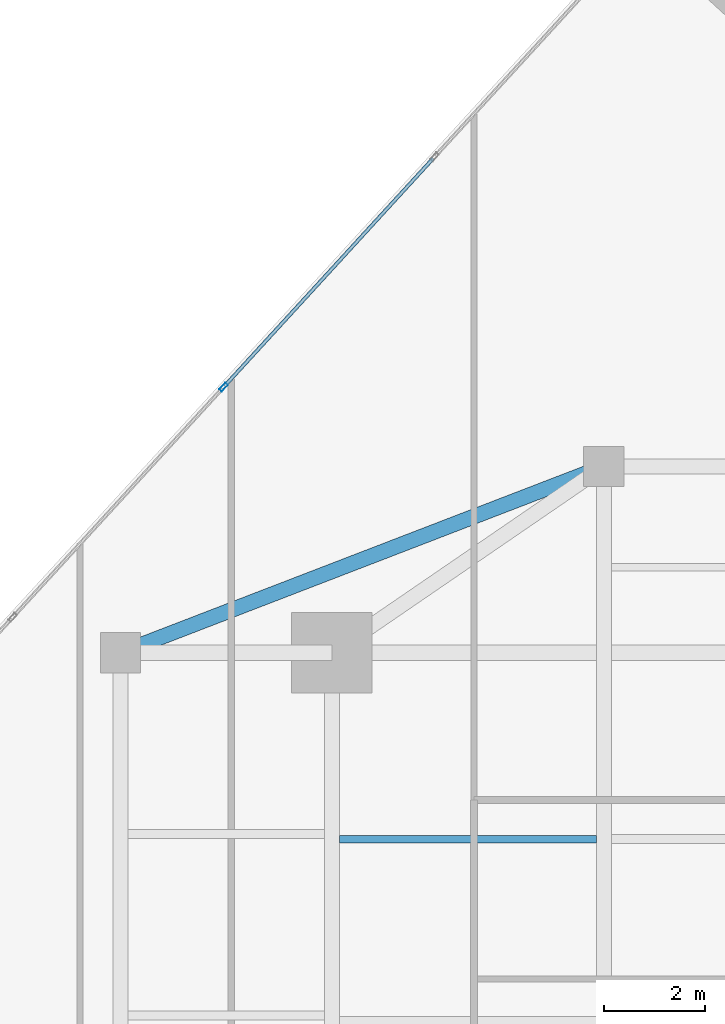
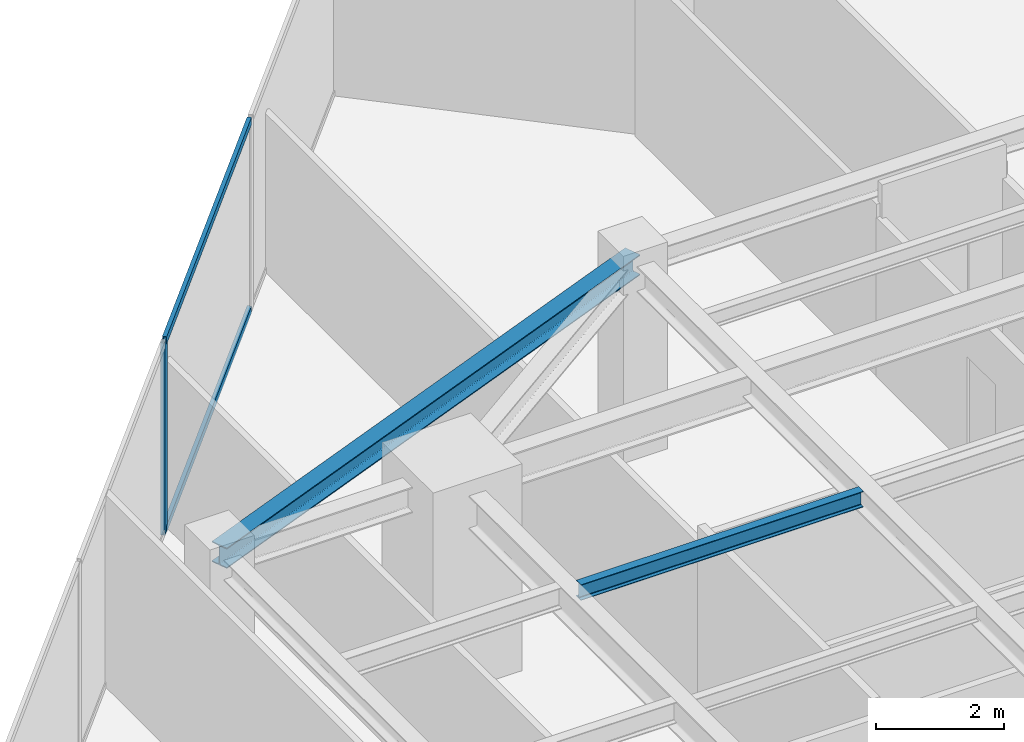
# One storey, part 15 of 26: 3 members, 2 beams, 1 element without a shape of its own.
"""IFC4 building model written with IfcOpenShell, lengths in metres."""

from ifc_helpers import new_model, si_unit, direction, frame, origin, origin_2d, place, context, subcontext, project, spatial, hollow_rectangle, i_section, extrude, source, transform, mapped, material, material_profile, profile_set, type_object, type_shapes, element, aggregate, save


model = new_model("IFC4")

# Units and contexts
model_context = context("Model", 3, precision=1e-05, world=origin(), true_north=direction((0.0, 1.0)))
body_context = subcontext(model_context, "Body", "Model", "MODEL_VIEW")
ifc_project = project(units=[si_unit("LENGTHUNIT", "METRE"), si_unit("AREAUNIT", "SQUARE_METRE"), si_unit("VOLUMEUNIT", "CUBIC_METRE"), si_unit("PLANEANGLEUNIT", "RADIAN"), si_unit("MASSUNIT", "GRAM", prefix="KILO")], contexts=[model_context])

# Site, building, storey
site_placement = place(None, origin())
site = spatial("IfcSite", under=ifc_project, at=site_placement, CompositionType="ELEMENT")
building_placement = place(site_placement, origin())
building = spatial("IfcBuilding", under=site, at=building_placement, Name="Krantzveldt Concourse Tower", CompositionType="ELEMENT")
storey_placement = place(building_placement, frame((0.0, 0.0, 223.10009765625)))
storey = spatial("IfcBuildingStorey", under=building, at=storey_placement, Name="L54", CompositionType="ELEMENT", Elevation=223.10009765625)

# Beams
ifc_material_1 = material(Name="Steel S355JR", Category="steel")
ifc_material_profile_1 = material_profile(ifc_material_1, i_section(OverallWidth=0.300048828125, OverallDepth=0.389892578125, WebThickness=0.010986328125, FlangeThickness=0.01904296875, FilletRadius=0.027099609375, at=origin_2d()), Name="Steel S355JR", Category="steel")
ifc_profile_set_1 = profile_set([ifc_material_profile_1], Name="Steel S355JR - HEA 400")
beam_type_1 = type_object("IfcBeamType", Name="BM-SP-HEA400", PredefinedType="SPANDREL", material=ifc_profile_set_1)
shared_shape_1 = source(origin(), body_context, "Body", "SweptSolid", [
    extrude(i_section(OverallWidth=0.300048828125, OverallDepth=0.389892578125, WebThickness=0.010986328125, FlangeThickness=0.01904296875, FilletRadius=0.027099609375, at=origin_2d()), origin(), (0.0, 0.0, 1.0), 10.288330078125),
])
type_shapes(beam_type_1, [shared_shape_1])
beam_1_placement = place(storey_placement, frame((21.0, 37.5, 3.474853515625), z_axis=(0.933097690408, 0.359622997257, 0.0), x_axis=(-0.359622997257, 0.933097690408, 0.0)))
element("IfcBeam", 1, at=beam_1_placement, inside=storey, type_object=beam_type_1, Name="L54 Tower Girder SP-R03", PredefinedType="SPANDREL", context=body_context, shape_type="MappedRepresentation", body=[
    mapped(shared_shape_1, transform((0.0, 0.0, 0.0), x_axis=(1.0, 0.0, 0.0), y_axis=(0.0, 1.0, 0.0), z_axis=(0.0, 0.0, 1.0), scale=1.0)),
])
ifc_material_profile_2 = material_profile(ifc_material_1, i_section(OverallWidth=0.14990234375, OverallDepth=0.300048828125, WebThickness=0.007080078125, FlangeThickness=0.0107421875, FilletRadius=0.014892578125, at=origin_2d()), Name="Steel S355JR", Category="steel")
ifc_profile_set_2 = profile_set([ifc_material_profile_2], Name="Steel S355JR - IPE 300")
beam_type_2 = type_object("IfcBeamType", Name="BM-J-IPE300", PredefinedType="JOIST", material=ifc_profile_set_2)
shared_shape_2 = source(origin(), body_context, "Body", "SweptSolid", [
    extrude(i_section(OverallWidth=0.14990234375, OverallDepth=0.300048828125, WebThickness=0.007080078125, FlangeThickness=0.0107421875, FilletRadius=0.014892578125, at=origin_2d()), origin(), (0.0, 0.0, 1.0), 5.099853515625),
])
type_shapes(beam_type_2, [shared_shape_2])
beam_2_placement = place(storey_placement, frame((25.35009765625, 33.800048828125, 3.52001953125), z_axis=(1.0, 0.0, 0.0), x_axis=(0.0, 1.0, 0.0)))
element("IfcBeam", 2, at=beam_2_placement, inside=storey, type_object=beam_type_2, Name="L54 Secondary Floor Joist JN-W2", PredefinedType="JOIST", context=body_context, shape_type="MappedRepresentation", body=[
    mapped(shared_shape_2, transform((0.0, 0.0, 0.0), x_axis=(1.0, 0.0, 0.0), y_axis=(0.0, 1.0, 0.0), z_axis=(0.0, 0.0, 1.0), scale=1.0)),
])

# Curtain wall, members
ifc_material_2 = material(Name="Anodised aluminium 6063-T6", Category="aluminium")
curtain_wall_type = type_object("IfcCurtainWallType", Name="CW3", PredefinedType="USERDEFINED", material=ifc_material_2)
curtain_wall_placement = place(storey_placement, origin())
curtain_wall = element("IfcCurtainWall", 3, at=curtain_wall_placement, inside=storey, type_object=curtain_wall_type, Name="CW-L54-F01", ObjectType="UNITISED CURTAIN WALL", PredefinedType="USERDEFINED")
ifc_material_profile_3 = material_profile(ifc_material_2, hollow_rectangle(XDim=0.070068359375, YDim=0.179931640625, WallThickness=0.0048828125, at=origin_2d()), Name="Anodised aluminium 6063-T6", Category="aluminium")
ifc_profile_set_3 = profile_set([ifc_material_profile_3], Name="Anodised aluminium 6063-T6 - ALU-MULL 180x70x5")
member_type_1 = type_object("IfcMemberType", Name="CW-MUL-180", PredefinedType="MULLION", material=ifc_profile_set_3)
shared_shape_3 = source(origin(), body_context, "Body", "SweptSolid", [
    extrude(hollow_rectangle(XDim=0.070068359375, YDim=0.179931640625, WallThickness=0.0048828125, at=origin_2d()), origin(), (0.0, 0.0, 1.0), 3.669921875),
])
type_shapes(member_type_1, [shared_shape_3])
member_1_placement = place(storey_placement, frame((23.04638671875, 42.7744140625, 0.0), z_axis=(0.0, 0.0, 1.0), x_axis=(0.737277477893, -0.675590053651, 0.0)))
member_1 = element("IfcMember", 4, at=member_1_placement, type_object=member_type_1, Name="CW-Z34 mullion 3", PredefinedType="MULLION", context=body_context, shape_type="MappedRepresentation", body=[
    mapped(shared_shape_3, transform((0.0, 0.0, 0.0), x_axis=(1.0, 0.0, 0.0), y_axis=(0.0, 1.0, 0.0), z_axis=(0.0, 0.0, 1.0), scale=1.0)),
])
ifc_material_profile_4 = material_profile(ifc_material_2, hollow_rectangle(XDim=0.070068359375, YDim=0.139892578125, WallThickness=0.0048828125, at=origin_2d()), Name="Anodised aluminium 6063-T6", Category="aluminium")
ifc_profile_set_4 = profile_set([ifc_material_profile_4], Name="Anodised aluminium 6063-T6 - ALU-TRAN 140x70x5")
member_type_2 = type_object("IfcMemberType", Name="CW-TRN-150", PredefinedType="USERDEFINED", material=ifc_profile_set_4)
shared_shape_4 = source(origin(), body_context, "Body", "SweptSolid", [
    extrude(hollow_rectangle(XDim=0.070068359375, YDim=0.139892578125, WallThickness=0.0048828125, at=origin_2d()), origin(), (0.0, 0.0, 1.0), 6.130126953125),
])
type_shapes(member_type_2, [shared_shape_4])
member_2_placement = place(storey_placement, frame((27.21142578125, 47.319580078125, 0.034912109375), z_axis=(-0.675587551404, -0.737279770771, 0.0), x_axis=(0.737279770771, -0.675587551404, 0.0)))
member_2 = element("IfcMember", 5, at=member_2_placement, type_object=member_type_2, Name="CW-Z34 transom 2.1", ObjectType="TRANSOM", PredefinedType="USERDEFINED", context=body_context, shape_type="MappedRepresentation", body=[
    mapped(shared_shape_4, transform((0.0, 0.0, 0.0), x_axis=(1.0, 0.0, 0.0), y_axis=(0.0, 1.0, 0.0), z_axis=(0.0, 0.0, 1.0), scale=1.0)),
])
member_3_placement = place(storey_placement, frame((27.21142578125, 47.319580078125, 3.635009765625), z_axis=(-0.675587551404, -0.737279770771, 0.0), x_axis=(0.737279770771, -0.675587551404, 0.0)))
member_3 = element("IfcMember", 6, at=member_3_placement, type_object=member_type_2, Name="CW-Z34 transom 2.2", ObjectType="TRANSOM", PredefinedType="USERDEFINED", context=body_context, shape_type="MappedRepresentation", body=[
    mapped(shared_shape_4, transform((0.0, 0.0, 0.0), x_axis=(1.0, 0.0, 0.0), y_axis=(0.0, 1.0, 0.0), z_axis=(0.0, 0.0, 1.0), scale=1.0)),
])
aggregate(curtain_wall, [member_1, member_2, member_3])

save(model, "model.ifc")
